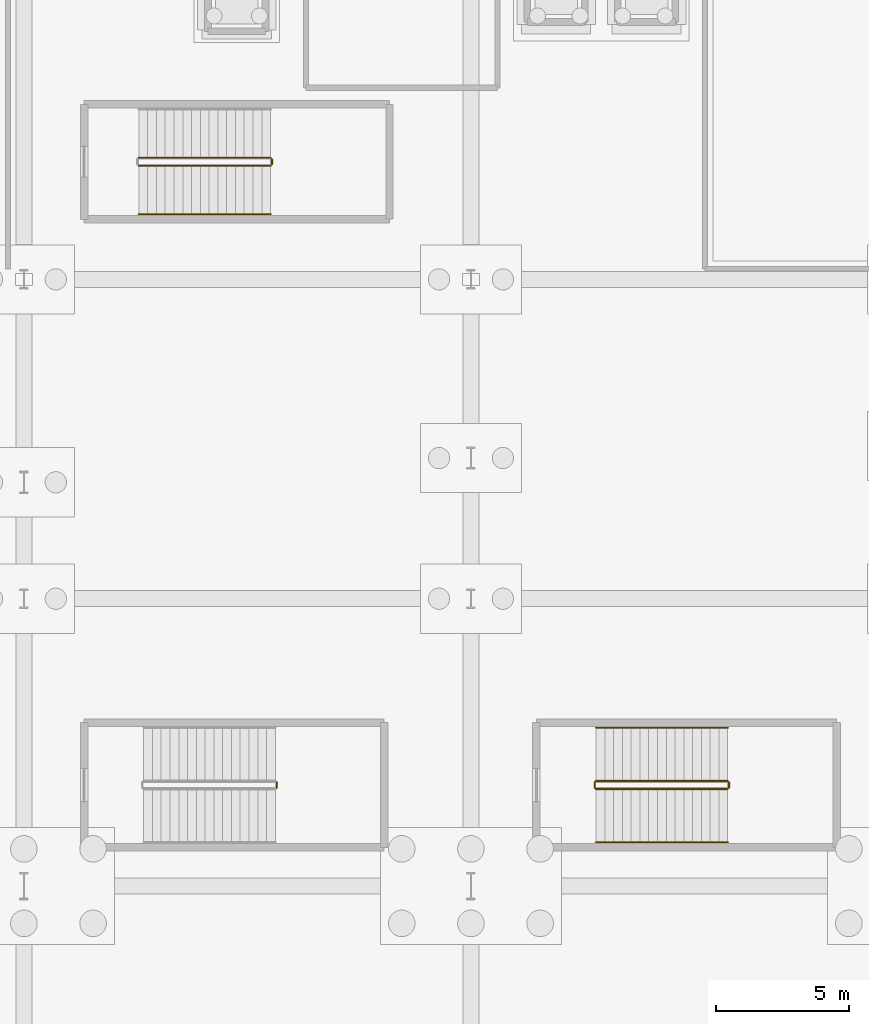
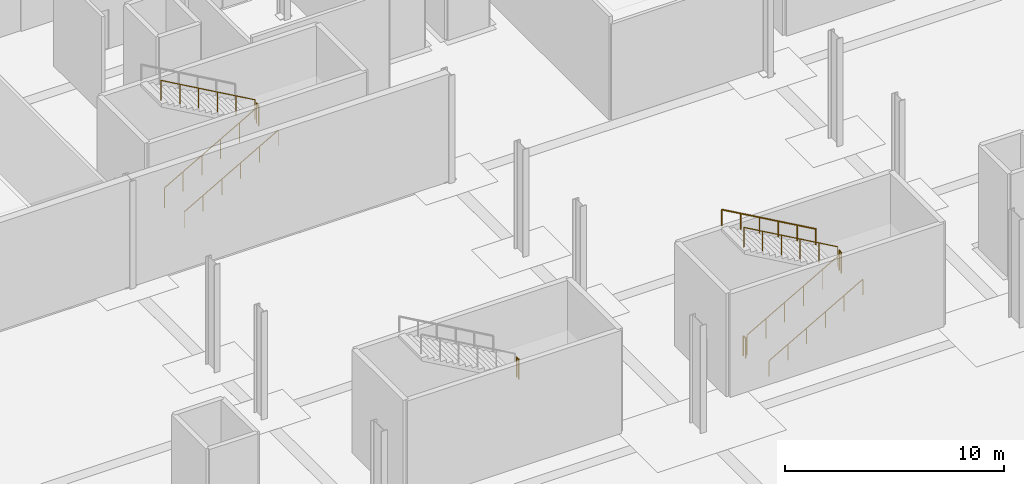
# One storey, part 40 of 46: 11 railings.
"""IFC4 building model written with IfcOpenShell, lengths in metres."""

import ifcopenshell
import ifcopenshell.guid

model = None  # the IFC model being written
_history = None  # IfcOwnerHistory: only IFC2X3 demands one
_inside = {}  # id of a spatial element -> (the spatial element, [elements in it])
_under = {}  # id of a project, library or spatial element -> (it, [spatial elements below it])
_declared = {}  # id of a project -> (the project, [libraries it declares])
_typed = {}  # id of a type object -> (the type object, [elements of that type])
_made_of = {}  # id of a material, layer set ... -> (it, [elements and type objects made of it])


def new_model(schema):
    """Start an empty IFC model of exactly this schema.

    Asked for "IFC4X3", IfcOpenShell would pick the latest addendum, in which some entities
    have other attributes; the version numbers below select the first issue.
    IFC2X3 requires an IfcOwnerHistory on every rooted entity: one is made here for all.
    """
    global model, _history
    if schema == "IFC4X3":
        model = ifcopenshell.file(schema_version=(4, 3, 0, 0))
    else:
        model = ifcopenshell.file(schema=schema)
    _inside.clear()
    _under.clear()
    _declared.clear()
    _typed.clear()
    _made_of.clear()
    _history = None
    if model.schema == "IFC2X3":
        org = make("IfcOrganization", Name="unknown")
        user = make(
            "IfcPersonAndOrganization",
            ThePerson=make("IfcPerson", FamilyName="unknown"),
            TheOrganization=org,
        )
        app = make(
            "IfcApplication",
            ApplicationDeveloper=org,
            Version="unknown",
            ApplicationFullName="unknown",
            ApplicationIdentifier="unknown",
        )
        _history = make(
            "IfcOwnerHistory",
            OwningUser=user,
            OwningApplication=app,
            ChangeAction="ADDED",
            CreationDate=0,
        )
    return model


def make(cls, **values):
    """One entity of the class cls with the attributes given. An attribute that is None is left unset."""
    return model.create_entity(
        cls, **{name: value for name, value in values.items() if value is not None}
    )


def rooted(cls, **values):
    """An entity with a GlobalId (a new one), such as an element, a storey or a relation."""
    return make(cls, GlobalId=ifcopenshell.guid.new(), OwnerHistory=_history, **values)


def si_unit(unit_type, name, prefix=None):
    """IfcSIUnit, for example si_unit("LENGTHUNIT", "METRE", prefix="MILLI")."""
    return make("IfcSIUnit", UnitType=unit_type, Prefix=prefix, Name=name)


def assignment(units):
    """IfcUnitAssignment: the units of a project."""
    return None if units is None else make("IfcUnitAssignment", Units=units)


def point(xyz):
    """IfcCartesianPoint."""
    return None if xyz is None else make("IfcCartesianPoint", Coordinates=xyz)


def direction(xyz):
    """IfcDirection."""
    return None if xyz is None else make("IfcDirection", DirectionRatios=xyz)


def frame(location, z_axis=None, x_axis=None):
    """IfcAxis2Placement3D, a coordinate frame: its origin and axes. An axis left out is left unset."""
    return make(
        "IfcAxis2Placement3D",
        Location=point(location),
        Axis=direction(z_axis),
        RefDirection=direction(x_axis),
    )


def frame_2d(location, x_axis=None):
    """IfcAxis2Placement2D, a coordinate frame in the plane: its origin and x axis."""
    return make(
        "IfcAxis2Placement2D", Location=point(location), RefDirection=direction(x_axis)
    )


def origin():
    """The frame at (0, 0, 0) with its axes left unset."""
    return frame((0.0, 0.0, 0.0))


def origin_2d():
    """The frame at (0, 0) in the plane with its x axis left unset."""
    return frame_2d((0.0, 0.0))


def place(relative_to, where):
    """IfcLocalPlacement: puts the frame where relative to a parent placement (None: the world)."""
    return make(
        "IfcLocalPlacement", PlacementRelTo=relative_to, RelativePlacement=where
    )


def context(
    kind, dimensions, precision=None, world=None, true_north=None, identifier=None
):
    """IfcGeometricRepresentationContext, for example the 3D "Model" context."""
    return make(
        "IfcGeometricRepresentationContext",
        ContextIdentifier=identifier,
        ContextType=kind,
        CoordinateSpaceDimension=dimensions,
        Precision=precision,
        WorldCoordinateSystem=world,
        TrueNorth=true_north,
    )


def subcontext(parent, identifier, kind, view, scale=None):
    """IfcGeometricRepresentationSubContext, for example "Body" below "Model"."""
    return make(
        "IfcGeometricRepresentationSubContext",
        ContextIdentifier=identifier,
        ContextType=kind,
        ParentContext=parent,
        TargetScale=scale,
        TargetView=view,
    )


def project(units=None, contexts=None):
    """IfcProject with its units and contexts."""
    return rooted(
        "IfcProject",
        Name="project",
        RepresentationContexts=contexts,
        UnitsInContext=assignment(units),
    )


def spatial(cls, under=None, at=None, **own):
    """A site, building, storey or space (cls), placed at a placement, below another one or the project."""
    s = rooted(cls, ObjectPlacement=at, **own)
    if under is not None:
        _under.setdefault(under.id(), (under, []))[1].append(s)
    return s


def profile(cls, at=None, kind="AREA", **sizes):
    """A parametric profile (cls). Its sizes go by their IFC names, for example OverallWidth=200.0."""
    return make(cls, ProfileType=kind, Position=at, **sizes)


def circle(**sizes):
    """IfcCircleProfileDef."""
    return profile("IfcCircleProfileDef", **sizes)


def extrude(swept, where, along, depth):
    """IfcExtrudedAreaSolid: the profile swept, set in the frame where, extruded along a direction by depth."""
    return make(
        "IfcExtrudedAreaSolid",
        SweptArea=swept,
        Position=where,
        ExtrudedDirection=direction(along),
        Depth=depth,
    )


def shape(context_of_items, identifier, shape_type, items):
    """IfcShapeRepresentation: the items that make up one representation, for example the "Body"."""
    return make(
        "IfcShapeRepresentation",
        ContextOfItems=context_of_items,
        RepresentationIdentifier=identifier,
        RepresentationType=shape_type,
        Items=items,
    )


def material(Name=None, Category=None):
    """IfcMaterial."""
    return make("IfcMaterial", Name=Name, Category=Category)


def made_of(thing, what):
    """Note that an element or type object is made of a material, layer set ...; save() writes the relation."""
    if what is not None:
        _made_of.setdefault(what.id(), (what, []))[1].append(thing)
    return thing


def type_object(cls, material=None, **own):
    """A type object (cls), such as IfcWallType, which elements share."""
    return made_of(rooted(cls, **own), material)


def element(
    cls,
    number,
    at=None,
    inside=None,
    cuts=None,
    type_object=None,
    material=None,
    context=None,
    identifier="Body",
    shape_type=None,
    held_by="IfcProductDefinitionShape",
    body=None,
    shapes=None,
    **own,
):
    """One element of the class cls, such as IfcWall. Its Tag is "e" and its number.

    at: its placement. inside: the storey or other place that contains it. cuts: it is an
    opening in that element (IfcRelVoidsElement). A single representation is given by context,
    identifier, shape_type and body (its items); several are given by shapes. held_by: the class
    of the entity that holds the representations. save() writes the other relations.
    """
    e = rooted(cls, Tag="e%d" % number, ObjectPlacement=at, **own)
    if body is not None:
        shapes = [shape(context, identifier, shape_type, body)]
    if shapes is not None:
        e.Representation = make(held_by, Representations=shapes)
    if inside is not None:
        _inside.setdefault(inside.id(), (inside, []))[1].append(e)
    if cuts is not None:
        rooted(
            "IfcRelVoidsElement", RelatingBuildingElement=cuts, RelatedOpeningElement=e
        )
    if type_object is not None:
        _typed.setdefault(type_object.id(), (type_object, []))[1].append(e)
    return made_of(e, material)


def aggregate(whole, parts):
    """IfcRelAggregates: a whole, such as a stair, and the parts it consists of."""
    return rooted("IfcRelAggregates", RelatingObject=whole, RelatedObjects=parts)


def save(model, path):
    """Write the relations noted so far, then the file.

    IfcRelAggregates (storeys below a building ...), IfcRelContainedInSpatialStructure (elements
    in a storey), IfcRelDefinesByType, IfcRelAssociatesMaterial and IfcRelDeclares: one each for
    every whole, place, type object, material and project.
    """
    for whole, parts in _under.values():
        aggregate(whole, parts)
    for where, things in _inside.values():
        rooted(
            "IfcRelContainedInSpatialStructure",
            RelatedElements=things,
            RelatingStructure=where,
        )
    for kind, things in _typed.values():
        rooted("IfcRelDefinesByType", RelatedObjects=things, RelatingType=kind)
    for what, things in _made_of.values():
        rooted("IfcRelAssociatesMaterial", RelatedObjects=things, RelatingMaterial=what)
    for by, libraries in _declared.values():
        rooted("IfcRelDeclares", RelatingContext=by, RelatedDefinitions=libraries)
    model.write(path)


model = new_model("IFC4")

# Units and contexts
model_context = context("Model", 3, precision=1e-05, world=origin(), true_north=direction((0.0, 1.0)))
body_context = subcontext(model_context, "Body", "Model", "MODEL_VIEW")
ifc_project = project(units=[si_unit("LENGTHUNIT", "METRE"), si_unit("AREAUNIT", "SQUARE_METRE"), si_unit("VOLUMEUNIT", "CUBIC_METRE"), si_unit("PLANEANGLEUNIT", "RADIAN"), si_unit("MASSUNIT", "GRAM", prefix="KILO")], contexts=[model_context])

# Site, building, storey
site_placement = place(None, origin())
site = spatial("IfcSite", under=ifc_project, at=site_placement, CompositionType="ELEMENT")
building_placement = place(site_placement, origin())
building = spatial("IfcBuilding", under=site, at=building_placement, Name="Kimbaza Rail Terminus", CompositionType="ELEMENT")
storey_placement = place(building_placement, frame((0.0, 0.0, -6.0)))
storey = spatial("IfcBuildingStorey", under=building, at=storey_placement, Name="B1", CompositionType="ELEMENT", Elevation=-6.0)

# Railings
ifc_material_1 = material(Name="Brushed stainless steel handrail", Category="steel")
railing_type_1 = type_object("IfcRailingType", Name="ARC-RL-HND92", PredefinedType="HANDRAIL", material=ifc_material_1)
for number, where, name in (
    (1, (76.320068359375, 105.449951171875, 0.1875), "B1 ST-W1 stair handrail 1"),
    (2, (93.5, 81.85009765625, 0.1875), "B1 ST-C3 stair handrail 1"),
):
    element("IfcRailing", number, at=place(storey_placement, frame(where)), inside=storey, type_object=railing_type_1, Name=name, PredefinedType="HANDRAIL", context=body_context, shape_type="SweptSolid", body=[
        extrude(circle(Radius=0.02392578125, at=origin_2d()), frame((0.0, 0.0, 0.8759765625), z_axis=(0.869454464302, 0.0, 0.494013091431), x_axis=(0.0, 1.0, 0.0)), (0.0, 0.0, 1.0), 5.693115234375),
        extrude(circle(Radius=0.02099609375, at=origin_2d()), origin(), (0.0, 0.0, 1.0), 0.851806640625),
        extrude(circle(Radius=0.02099609375, at=origin_2d()), frame((0.989990234375, 0.0, 0.5625)), (0.0, 0.0, 1.0), 0.851806640625),
        extrude(circle(Radius=0.02099609375, at=origin_2d()), frame((1.97998046875, 0.0, 1.125)), (0.0, 0.0, 1.0), 0.851806640625),
        extrude(circle(Radius=0.02099609375, at=origin_2d()), frame((2.969970703125, 0.0, 1.6875)), (0.0, 0.0, 1.0), 0.851806640625),
        extrude(circle(Radius=0.02099609375, at=origin_2d()), frame((3.9599609375, 0.0, 2.25)), (0.0, 0.0, 1.0), 0.851806640625),
        extrude(circle(Radius=0.02099609375, at=origin_2d()), frame((4.949951171875, 0.0, 2.8125)), (0.0, 0.0, 1.0), 0.851806640625),
    ])
railing_1_placement = place(storey_placement, frame((98.449951171875, 86.14990234375, 3.1875)))
element("IfcRailing", 3, at=railing_1_placement, inside=storey, type_object=railing_type_1, Name="B1 ST-C3 stair handrail 2", PredefinedType="HANDRAIL", context=body_context, shape_type="SweptSolid", body=[
    extrude(circle(Radius=0.02392578125, at=origin_2d()), frame((0.0, 0.0, 0.8759765625), z_axis=(-0.869454464302, 0.0, 0.494013091431), x_axis=(0.0, -1.0, 0.0)), (0.0, 0.0, 1.0), 5.693115234375),
    extrude(circle(Radius=0.02099609375, at=origin_2d()), origin(), (0.0, 0.0, 1.0), 0.851806640625),
    extrude(circle(Radius=0.02099609375, at=origin_2d()), frame((-0.989990234375, 0.0, 0.5625)), (0.0, 0.0, 1.0), 0.851806640625),
    extrude(circle(Radius=0.02099609375, at=origin_2d()), frame((-1.97998046875, 0.0, 1.125)), (0.0, 0.0, 1.0), 0.851806640625),
    extrude(circle(Radius=0.02099609375, at=origin_2d()), frame((-2.969970703125, 0.0, 1.6875)), (0.0, 0.0, 1.0), 0.851806640625),
    extrude(circle(Radius=0.02099609375, at=origin_2d()), frame((-3.9599609375, 0.0, 2.25)), (0.0, 0.0, 1.0), 0.851806640625),
    extrude(circle(Radius=0.02099609375, at=origin_2d()), frame((-4.949951171875, 0.0, 2.8125)), (0.0, 0.0, 1.0), 0.851806640625),
])
ifc_material_2 = material(Name="Painted tubular steel stair well guard", Category="steel")
railing_type_2 = type_object("IfcRailingType", Name="ARC-RL-STGRD", PredefinedType="GUARDRAIL", material=ifc_material_2)
railing_2_placement = place(storey_placement, frame((76.320068359375, 107.27001953125, 0.1875)))
element("IfcRailing", 4, at=railing_2_placement, inside=storey, type_object=railing_type_2, Name="B1 ST-W1 stair guard 1", PredefinedType="GUARDRAIL", context=body_context, shape_type="SweptSolid", body=[
    extrude(circle(Radius=0.02392578125, at=origin_2d()), frame((0.0, 0.0, 1.09619140625), z_axis=(0.869454464302, 0.0, 0.494013091431), x_axis=(0.0, 1.0, 0.0)), (0.0, 0.0, 1.0), 5.693115234375),
    extrude(circle(Radius=0.02099609375, at=origin_2d()), origin(), (0.0, 0.0, 1.0), 1.072021484375),
    extrude(circle(Radius=0.02099609375, at=origin_2d()), frame((0.989990234375, 0.0, 0.5625)), (0.0, 0.0, 1.0), 1.072021484375),
    extrude(circle(Radius=0.02099609375, at=origin_2d()), frame((1.97998046875, 0.0, 1.125)), (0.0, 0.0, 1.0), 1.072021484375),
    extrude(circle(Radius=0.02099609375, at=origin_2d()), frame((2.969970703125, 0.0, 1.6875)), (0.0, 0.0, 1.0), 1.072021484375),
    extrude(circle(Radius=0.02099609375, at=origin_2d()), frame((3.9599609375, 0.0, 2.25)), (0.0, 0.0, 1.0), 1.072021484375),
    extrude(circle(Radius=0.02099609375, at=origin_2d()), frame((4.949951171875, 0.0, 2.8125)), (0.0, 0.0, 1.0), 1.072021484375),
])
railing_3_placement = place(storey_placement, frame((81.320068359375, 107.320068359375, 3.0)))
element("IfcRailing", 5, at=railing_3_placement, inside=storey, type_object=railing_type_2, Name="B1 ST-W1 stair guard 2", PredefinedType="GUARDRAIL", context=body_context, shape_type="SweptSolid", body=[
    extrude(circle(Radius=0.02392578125, at=origin_2d()), frame((0.0, 0.0, 1.09619140625), z_axis=(0.0, 1.0, 0.0), x_axis=(-1.0, 0.0, 0.0)), (0.0, 0.0, 1.0), 0.199951171875),
    extrude(circle(Radius=0.02099609375, at=origin_2d()), origin(), (0.0, 0.0, 1.0), 1.072021484375),
    extrude(circle(Radius=0.02099609375, at=origin_2d()), frame((0.0, 0.199951171875, 0.0)), (0.0, 0.0, 1.0), 1.072021484375),
])
railing_4_placement = place(storey_placement, frame((81.27001953125, 107.570068359375, 3.1875)))
element("IfcRailing", 6, at=railing_4_placement, inside=storey, type_object=railing_type_2, Name="B1 ST-W1 stair guard 3", PredefinedType="GUARDRAIL", context=body_context, shape_type="SweptSolid", body=[
    extrude(circle(Radius=0.02392578125, at=origin_2d()), frame((0.0, 0.0, 1.09619140625), z_axis=(-0.869454464302, 0.0, 0.494013091431), x_axis=(0.0, -1.0, 0.0)), (0.0, 0.0, 1.0), 5.693115234375),
    extrude(circle(Radius=0.02099609375, at=origin_2d()), origin(), (0.0, 0.0, 1.0), 1.072021484375),
    extrude(circle(Radius=0.02099609375, at=origin_2d()), frame((-0.989990234375, 0.0, 0.5625)), (0.0, 0.0, 1.0), 1.072021484375),
    extrude(circle(Radius=0.02099609375, at=origin_2d()), frame((-1.97998046875, 0.0, 1.125)), (0.0, 0.0, 1.0), 1.072021484375),
    extrude(circle(Radius=0.02099609375, at=origin_2d()), frame((-2.969970703125, 0.0, 1.6875)), (0.0, 0.0, 1.0), 1.072021484375),
    extrude(circle(Radius=0.02099609375, at=origin_2d()), frame((-3.9599609375, 0.0, 2.25)), (0.0, 0.0, 1.0), 1.072021484375),
    extrude(circle(Radius=0.02099609375, at=origin_2d()), frame((-4.949951171875, 0.0, 2.8125)), (0.0, 0.0, 1.0), 1.072021484375),
])
railing_5_placement = place(storey_placement, frame((81.5, 83.89990234375, 3.0)))
element("IfcRailing", 7, at=railing_5_placement, inside=storey, type_object=railing_type_2, Name="B1 ST-C1 stair guard 2", PredefinedType="GUARDRAIL", context=body_context, shape_type="SweptSolid", body=[
    extrude(circle(Radius=0.02392578125, at=origin_2d()), frame((0.0, 0.0, 1.09619140625), z_axis=(0.0, 1.0, 0.0), x_axis=(-1.0, 0.0, 0.0)), (0.0, 0.0, 1.0), 0.2001953125),
    extrude(circle(Radius=0.02099609375, at=origin_2d()), origin(), (0.0, 0.0, 1.0), 1.072021484375),
    extrude(circle(Radius=0.02099609375, at=origin_2d()), frame((0.0, 0.2001953125, 0.0)), (0.0, 0.0, 1.0), 1.072021484375),
])
railing_6_placement = place(storey_placement, frame((93.5, 83.85009765625, 0.1875)))
element("IfcRailing", 8, at=railing_6_placement, inside=storey, type_object=railing_type_2, Name="B1 ST-C3 stair guard 1", PredefinedType="GUARDRAIL", context=body_context, shape_type="SweptSolid", body=[
    extrude(circle(Radius=0.02392578125, at=origin_2d()), frame((0.0, 0.0, 1.09619140625), z_axis=(0.869454464302, 0.0, 0.494013091431), x_axis=(0.0, 1.0, 0.0)), (0.0, 0.0, 1.0), 5.693115234375),
    extrude(circle(Radius=0.02099609375, at=origin_2d()), origin(), (0.0, 0.0, 1.0), 1.072021484375),
    extrude(circle(Radius=0.02099609375, at=origin_2d()), frame((0.989990234375, 0.0, 0.5625)), (0.0, 0.0, 1.0), 1.072021484375),
    extrude(circle(Radius=0.02099609375, at=origin_2d()), frame((1.97998046875, 0.0, 1.125)), (0.0, 0.0, 1.0), 1.072021484375),
    extrude(circle(Radius=0.02099609375, at=origin_2d()), frame((2.969970703125, 0.0, 1.6875)), (0.0, 0.0, 1.0), 1.072021484375),
    extrude(circle(Radius=0.02099609375, at=origin_2d()), frame((3.9599609375, 0.0, 2.25)), (0.0, 0.0, 1.0), 1.072021484375),
    extrude(circle(Radius=0.02099609375, at=origin_2d()), frame((4.949951171875, 0.0, 2.8125)), (0.0, 0.0, 1.0), 1.072021484375),
])
railing_7_placement = place(storey_placement, frame((98.5, 83.89990234375, 3.0)))
element("IfcRailing", 9, at=railing_7_placement, inside=storey, type_object=railing_type_2, Name="B1 ST-C3 stair guard 2", PredefinedType="GUARDRAIL", context=body_context, shape_type="SweptSolid", body=[
    extrude(circle(Radius=0.02392578125, at=origin_2d()), frame((0.0, 0.0, 1.09619140625), z_axis=(0.0, 1.0, 0.0), x_axis=(-1.0, 0.0, 0.0)), (0.0, 0.0, 1.0), 0.2001953125),
    extrude(circle(Radius=0.02099609375, at=origin_2d()), origin(), (0.0, 0.0, 1.0), 1.072021484375),
    extrude(circle(Radius=0.02099609375, at=origin_2d()), frame((0.0, 0.2001953125, 0.0)), (0.0, 0.0, 1.0), 1.072021484375),
])
railing_8_placement = place(storey_placement, frame((98.449951171875, 84.14990234375, 3.1875)))
element("IfcRailing", 10, at=railing_8_placement, inside=storey, type_object=railing_type_2, Name="B1 ST-C3 stair guard 3", PredefinedType="GUARDRAIL", context=body_context, shape_type="SweptSolid", body=[
    extrude(circle(Radius=0.02392578125, at=origin_2d()), frame((0.0, 0.0, 1.09619140625), z_axis=(-0.869454464302, 0.0, 0.494013091431), x_axis=(0.0, -1.0, 0.0)), (0.0, 0.0, 1.0), 5.693115234375),
    extrude(circle(Radius=0.02099609375, at=origin_2d()), origin(), (0.0, 0.0, 1.0), 1.072021484375),
    extrude(circle(Radius=0.02099609375, at=origin_2d()), frame((-0.989990234375, 0.0, 0.5625)), (0.0, 0.0, 1.0), 1.072021484375),
    extrude(circle(Radius=0.02099609375, at=origin_2d()), frame((-1.97998046875, 0.0, 1.125)), (0.0, 0.0, 1.0), 1.072021484375),
    extrude(circle(Radius=0.02099609375, at=origin_2d()), frame((-2.969970703125, 0.0, 1.6875)), (0.0, 0.0, 1.0), 1.072021484375),
    extrude(circle(Radius=0.02099609375, at=origin_2d()), frame((-3.9599609375, 0.0, 2.25)), (0.0, 0.0, 1.0), 1.072021484375),
    extrude(circle(Radius=0.02099609375, at=origin_2d()), frame((-4.949951171875, 0.0, 2.8125)), (0.0, 0.0, 1.0), 1.072021484375),
])
railing_9_placement = place(storey_placement, frame((93.449951171875, 83.89990234375, 0.0)))
element("IfcRailing", 11, at=railing_9_placement, inside=storey, type_object=railing_type_2, Name="B1 ST-C3 stair guard 4", PredefinedType="GUARDRAIL", context=body_context, shape_type="SweptSolid", body=[
    extrude(circle(Radius=0.02392578125, at=origin_2d()), frame((0.0, 0.0, 1.09619140625), z_axis=(0.0, 1.0, 0.0), x_axis=(-1.0, 0.0, 0.0)), (0.0, 0.0, 1.0), 0.2001953125),
    extrude(circle(Radius=0.02099609375, at=origin_2d()), origin(), (0.0, 0.0, 1.0), 1.072021484375),
    extrude(circle(Radius=0.02099609375, at=origin_2d()), frame((0.0, 0.2001953125, 0.0)), (0.0, 0.0, 1.0), 1.072021484375),
])

save(model, "model.ifc")
